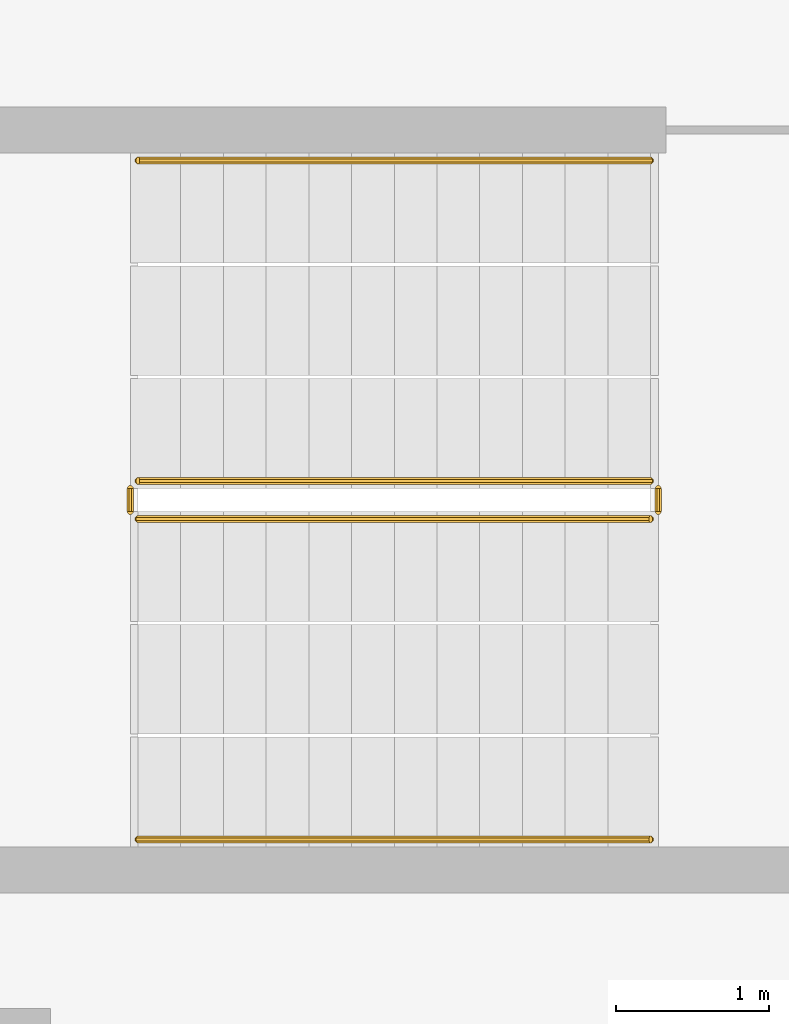
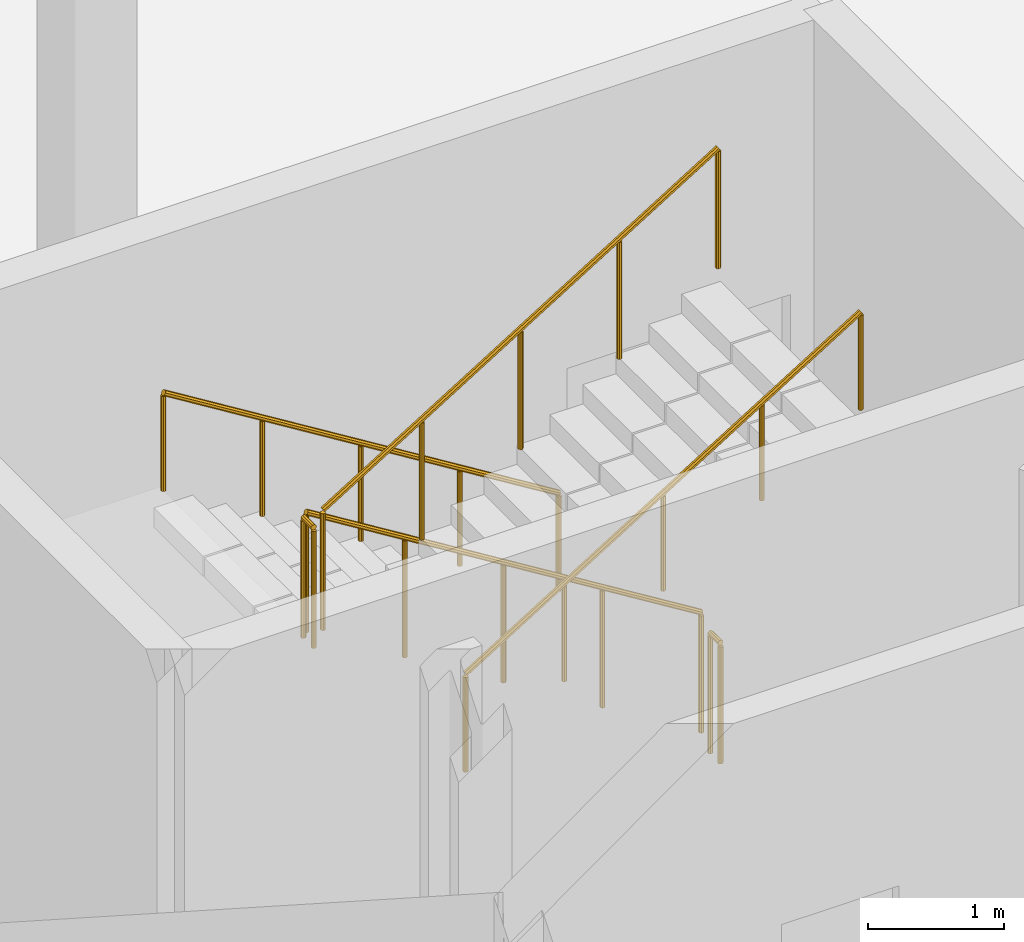
# One storey, part 22 of 27: 6 railings.
"""IFC4 building model written with IfcOpenShell, lengths in metres."""

from ifc_helpers import new_model, si_unit, direction, frame, origin, place, context, subcontext, project, spatial, polyline, outline, extrude, material, type_object, element, save


model = new_model("IFC4")

# Units and contexts
model_context = context("Model", 3, precision=1e-05, world=origin(), true_north=direction((0.0, 1.0)))
body_context = subcontext(model_context, "Body", "Model", "MODEL_VIEW")
ifc_project = project(units=[si_unit("LENGTHUNIT", "METRE"), si_unit("AREAUNIT", "SQUARE_METRE"), si_unit("VOLUMEUNIT", "CUBIC_METRE"), si_unit("PLANEANGLEUNIT", "RADIAN"), si_unit("MASSUNIT", "GRAM", prefix="KILO")], contexts=[model_context])

# Site, building, storey
site_placement = place(None, origin())
site = spatial("IfcSite", under=ifc_project, at=site_placement, CompositionType="ELEMENT")
building_placement = place(site_placement, origin())
building = spatial("IfcBuilding", under=site, at=building_placement, Name="Cormorant Relay Tower", CompositionType="ELEMENT")
storey_placement = place(building_placement, frame((0.0, 0.0, -4.5)))
storey = spatial("IfcBuildingStorey", under=building, at=storey_placement, Name="B1", CompositionType="ELEMENT", Elevation=-4.5)

# Railings
ifc_material_1 = material(Name="Steel ASTM A572 Grade 50 (Fy 345 MPa)", Category="steel")
railing_type_1 = type_object("IfcRailingType", Name="Stair guard 1100", PredefinedType="GUARDRAIL", material=ifc_material_1)
railing_1_placement = place(storey_placement, frame((1.60009765625, -18.27490234375, 0.173095703125)))
element("IfcRailing", 1, at=railing_1_placement, inside=storey, type_object=railing_type_1, Name="B1 RK1 stair guard 1", PredefinedType="GUARDRAIL", context=body_context, shape_type="SweptSolid", body=[
    extrude(outline(polyline([(0.022216796875, 0.00927734375), (0.00927734375, 0.022216796875), (-0.00927734375, 0.022216796875), (-0.022216796875, 0.00927734375), (-0.022216796875, -0.00927734375), (-0.00927734375, -0.022216796875), (0.00927734375, -0.022216796875), (0.022216796875, -0.00927734375), (0.022216796875, 0.00927734375)])), frame((0.0, 0.0, 1.076171875), z_axis=(-0.850623216509, 0.0, 0.525775754039), x_axis=(0.0, -1.0, 0.0)), (0.0, 0.0, 1.0), 3.9501953125),
    extrude(outline(polyline([(0.019287109375, 0.008056640625), (0.008056640625, 0.019287109375), (-0.008056640625, 0.019287109375), (-0.019287109375, 0.008056640625), (-0.019287109375, -0.008056640625), (-0.008056640625, -0.019287109375), (0.008056640625, -0.019287109375), (0.019287109375, -0.008056640625), (0.019287109375, 0.008056640625)])), origin(), (0.0, 0.0, 1.0), 1.052001953125),
    extrude(outline(polyline([(0.019287109375, 0.008056640625), (0.008056640625, 0.019287109375), (-0.008056640625, 0.019287109375), (-0.019287109375, 0.008056640625), (-0.019287109375, -0.008056640625), (-0.008056640625, -0.019287109375), (0.008056640625, -0.019287109375), (0.019287109375, -0.008056640625), (0.019287109375, 0.008056640625)])), frame((-0.840087890625, 0.0, 0.519287109375)), (0.0, 0.0, 1.0), 1.052001953125),
    extrude(outline(polyline([(0.019287109375, 0.008056640625), (0.008056640625, 0.019287109375), (-0.008056640625, 0.019287109375), (-0.019287109375, 0.008056640625), (-0.019287109375, -0.008056640625), (-0.008056640625, -0.019287109375), (0.008056640625, -0.019287109375), (0.019287109375, -0.008056640625), (0.019287109375, 0.008056640625)])), frame((-1.68017578125, 0.0, 1.03857421875)), (0.0, 0.0, 1.0), 1.052001953125),
    extrude(outline(polyline([(0.019287109375, 0.008056640625), (0.008056640625, 0.019287109375), (-0.008056640625, 0.019287109375), (-0.019287109375, 0.008056640625), (-0.019287109375, -0.008056640625), (-0.008056640625, -0.019287109375), (0.008056640625, -0.019287109375), (0.019287109375, -0.008056640625), (0.019287109375, 0.008056640625)])), frame((-2.52001953125, 0.0, 1.5576171875)), (0.0, 0.0, 1.0), 1.052001953125),
    extrude(outline(polyline([(0.019287109375, 0.008056640625), (0.008056640625, 0.019287109375), (-0.008056640625, 0.019287109375), (-0.019287109375, 0.008056640625), (-0.019287109375, -0.008056640625), (-0.008056640625, -0.019287109375), (0.008056640625, -0.019287109375), (0.019287109375, -0.008056640625), (0.019287109375, 0.008056640625)])), frame((-3.360107421875, 0.0, 2.076904296875)), (0.0, 0.0, 1.0), 1.052001953125),
])
railing_2_placement = place(storey_placement, frame((-1.81005859375, -18.324951171875, 2.25)))
element("IfcRailing", 2, at=railing_2_placement, inside=storey, type_object=railing_type_1, Name="B1 RK1 stair guard 2", PredefinedType="GUARDRAIL", context=body_context, shape_type="SweptSolid", body=[
    extrude(outline(polyline([(0.022216796875, 0.00927734375), (0.00927734375, 0.022216796875), (-0.00927734375, 0.022216796875), (-0.022216796875, 0.00927734375), (-0.022216796875, -0.00927734375), (-0.00927734375, -0.022216796875), (0.00927734375, -0.022216796875), (0.022216796875, -0.00927734375), (0.022216796875, 0.00927734375)])), frame((0.0, 0.0, 1.076171875), z_axis=(0.0, -1.0, 0.0), x_axis=(1.0, 0.0, 0.0)), (0.0, 0.0, 1.0), 0.150146484375),
    extrude(outline(polyline([(0.019287109375, 0.008056640625), (0.008056640625, 0.019287109375), (-0.008056640625, 0.019287109375), (-0.019287109375, 0.008056640625), (-0.019287109375, -0.008056640625), (-0.008056640625, -0.019287109375), (0.008056640625, -0.019287109375), (0.019287109375, -0.008056640625), (0.019287109375, 0.008056640625)])), origin(), (0.0, 0.0, 1.0), 1.052001953125),
    extrude(outline(polyline([(0.019287109375, 0.008056640625), (0.008056640625, 0.019287109375), (-0.008056640625, 0.019287109375), (-0.019287109375, 0.008056640625), (-0.019287109375, -0.008056640625), (-0.008056640625, -0.019287109375), (0.008056640625, -0.019287109375), (0.019287109375, -0.008056640625), (0.019287109375, 0.008056640625)])), frame((0.0, -0.150146484375, 0.0)), (0.0, 0.0, 1.0), 1.052001953125),
])
railing_3_placement = place(storey_placement, frame((-1.760009765625, -18.52490234375, 2.423095703125)))
element("IfcRailing", 3, at=railing_3_placement, inside=storey, type_object=railing_type_1, Name="B1 RK1 stair guard 3", PredefinedType="GUARDRAIL", context=body_context, shape_type="SweptSolid", body=[
    extrude(outline(polyline([(0.022216796875, 0.00927734375), (0.00927734375, 0.022216796875), (-0.00927734375, 0.022216796875), (-0.022216796875, 0.00927734375), (-0.022216796875, -0.00927734375), (-0.00927734375, -0.022216796875), (0.00927734375, -0.022216796875), (0.022216796875, -0.00927734375), (0.022216796875, 0.00927734375)])), frame((0.0, 0.0, 1.076171875), z_axis=(0.850623216509, 0.0, 0.525775754039), x_axis=(0.0, 1.0, 0.0)), (0.0, 0.0, 1.0), 3.9501953125),
    extrude(outline(polyline([(0.019287109375, 0.008056640625), (0.008056640625, 0.019287109375), (-0.008056640625, 0.019287109375), (-0.019287109375, 0.008056640625), (-0.019287109375, -0.008056640625), (-0.008056640625, -0.019287109375), (0.008056640625, -0.019287109375), (0.019287109375, -0.008056640625), (0.019287109375, 0.008056640625)])), origin(), (0.0, 0.0, 1.0), 1.052001953125),
    extrude(outline(polyline([(0.019287109375, 0.008056640625), (0.008056640625, 0.019287109375), (-0.008056640625, 0.019287109375), (-0.019287109375, 0.008056640625), (-0.019287109375, -0.008056640625), (-0.008056640625, -0.019287109375), (0.008056640625, -0.019287109375), (0.019287109375, -0.008056640625), (0.019287109375, 0.008056640625)])), frame((0.840087890625, 0.0, 0.519287109375)), (0.0, 0.0, 1.0), 1.052001953125),
    extrude(outline(polyline([(0.019287109375, 0.008056640625), (0.008056640625, 0.019287109375), (-0.008056640625, 0.019287109375), (-0.019287109375, 0.008056640625), (-0.019287109375, -0.008056640625), (-0.008056640625, -0.019287109375), (0.008056640625, -0.019287109375), (0.019287109375, -0.008056640625), (0.019287109375, 0.008056640625)])), frame((1.68017578125, 0.0, 1.03857421875)), (0.0, 0.0, 1.0), 1.052001953125),
    extrude(outline(polyline([(0.019287109375, 0.008056640625), (0.008056640625, 0.019287109375), (-0.008056640625, 0.019287109375), (-0.019287109375, 0.008056640625), (-0.019287109375, -0.008056640625), (-0.008056640625, -0.019287109375), (0.008056640625, -0.019287109375), (0.019287109375, -0.008056640625), (0.019287109375, 0.008056640625)])), frame((2.52001953125, 0.0, 1.5576171875)), (0.0, 0.0, 1.0), 1.052001953125),
    extrude(outline(polyline([(0.019287109375, 0.008056640625), (0.008056640625, 0.019287109375), (-0.008056640625, 0.019287109375), (-0.019287109375, 0.008056640625), (-0.019287109375, -0.008056640625), (-0.008056640625, -0.019287109375), (0.008056640625, -0.019287109375), (0.019287109375, -0.008056640625), (0.019287109375, 0.008056640625)])), frame((3.360107421875, 0.0, 2.076904296875)), (0.0, 0.0, 1.0), 1.052001953125),
])
railing_4_placement = place(storey_placement, frame((1.64990234375, -18.324951171875, 0.0)))
element("IfcRailing", 4, at=railing_4_placement, inside=storey, type_object=railing_type_1, Name="B1 RK1 stair guard 4", PredefinedType="GUARDRAIL", context=body_context, shape_type="SweptSolid", body=[
    extrude(outline(polyline([(0.022216796875, 0.00927734375), (0.00927734375, 0.022216796875), (-0.00927734375, 0.022216796875), (-0.022216796875, 0.00927734375), (-0.022216796875, -0.00927734375), (-0.00927734375, -0.022216796875), (0.00927734375, -0.022216796875), (0.022216796875, -0.00927734375), (0.022216796875, 0.00927734375)])), frame((0.0, 0.0, 1.076171875), z_axis=(0.0, -1.0, 0.0), x_axis=(1.0, 0.0, 0.0)), (0.0, 0.0, 1.0), 0.150146484375),
    extrude(outline(polyline([(0.019287109375, 0.008056640625), (0.008056640625, 0.019287109375), (-0.008056640625, 0.019287109375), (-0.019287109375, 0.008056640625), (-0.019287109375, -0.008056640625), (-0.008056640625, -0.019287109375), (0.008056640625, -0.019287109375), (0.019287109375, -0.008056640625), (0.019287109375, 0.008056640625)])), origin(), (0.0, 0.0, 1.0), 1.052001953125),
    extrude(outline(polyline([(0.019287109375, 0.008056640625), (0.008056640625, 0.019287109375), (-0.008056640625, 0.019287109375), (-0.019287109375, 0.008056640625), (-0.019287109375, -0.008056640625), (-0.008056640625, -0.019287109375), (0.008056640625, -0.019287109375), (0.019287109375, -0.008056640625), (0.019287109375, 0.008056640625)])), frame((0.0, -0.150146484375, 0.0)), (0.0, 0.0, 1.0), 1.052001953125),
])
ifc_material_2 = material(Name="Steel ASTM A572 Grade 50 (Fy 345 MPa)", Category="steel")
railing_type_2 = type_object("IfcRailingType", Name="Stair handrail 900", PredefinedType="HANDRAIL", material=ifc_material_2)
railing_5_placement = place(storey_placement, frame((1.60009765625, -16.175048828125, 0.173095703125)))
element("IfcRailing", 5, at=railing_5_placement, inside=storey, type_object=railing_type_2, Name="B1 RK1 stair handrail 1", PredefinedType="HANDRAIL", context=body_context, shape_type="SweptSolid", body=[
    extrude(outline(polyline([(0.022216796875, 0.00927734375), (0.00927734375, 0.022216796875), (-0.00927734375, 0.022216796875), (-0.022216796875, 0.00927734375), (-0.022216796875, -0.00927734375), (-0.00927734375, -0.022216796875), (0.00927734375, -0.022216796875), (0.022216796875, -0.00927734375), (0.022216796875, 0.00927734375)])), frame((0.0, 0.0, 0.8759765625), z_axis=(-0.850623216509, 0.0, 0.525775754039), x_axis=(0.0, -1.0, 0.0)), (0.0, 0.0, 1.0), 3.9501953125),
    extrude(outline(polyline([(0.019287109375, 0.008056640625), (0.008056640625, 0.019287109375), (-0.008056640625, 0.019287109375), (-0.019287109375, 0.008056640625), (-0.019287109375, -0.008056640625), (-0.008056640625, -0.019287109375), (0.008056640625, -0.019287109375), (0.019287109375, -0.008056640625), (0.019287109375, 0.008056640625)])), origin(), (0.0, 0.0, 1.0), 0.851806640625),
    extrude(outline(polyline([(0.019287109375, 0.008056640625), (0.008056640625, 0.019287109375), (-0.008056640625, 0.019287109375), (-0.019287109375, 0.008056640625), (-0.019287109375, -0.008056640625), (-0.008056640625, -0.019287109375), (0.008056640625, -0.019287109375), (0.019287109375, -0.008056640625), (0.019287109375, 0.008056640625)])), frame((-0.840087890625, 0.0, 0.519287109375)), (0.0, 0.0, 1.0), 0.851806640625),
    extrude(outline(polyline([(0.019287109375, 0.008056640625), (0.008056640625, 0.019287109375), (-0.008056640625, 0.019287109375), (-0.019287109375, 0.008056640625), (-0.019287109375, -0.008056640625), (-0.008056640625, -0.019287109375), (0.008056640625, -0.019287109375), (0.019287109375, -0.008056640625), (0.019287109375, 0.008056640625)])), frame((-1.68017578125, 0.0, 1.03857421875)), (0.0, 0.0, 1.0), 0.851806640625),
    extrude(outline(polyline([(0.019287109375, 0.008056640625), (0.008056640625, 0.019287109375), (-0.008056640625, 0.019287109375), (-0.019287109375, 0.008056640625), (-0.019287109375, -0.008056640625), (-0.008056640625, -0.019287109375), (0.008056640625, -0.019287109375), (0.019287109375, -0.008056640625), (0.019287109375, 0.008056640625)])), frame((-2.52001953125, 0.0, 1.5576171875)), (0.0, 0.0, 1.0), 0.851806640625),
    extrude(outline(polyline([(0.019287109375, 0.008056640625), (0.008056640625, 0.019287109375), (-0.008056640625, 0.019287109375), (-0.019287109375, 0.008056640625), (-0.019287109375, -0.008056640625), (-0.008056640625, -0.019287109375), (0.008056640625, -0.019287109375), (0.019287109375, -0.008056640625), (0.019287109375, 0.008056640625)])), frame((-3.360107421875, 0.0, 2.076904296875)), (0.0, 0.0, 1.0), 0.851806640625),
])
railing_6_placement = place(storey_placement, frame((-1.760009765625, -20.625, 2.423095703125)))
element("IfcRailing", 6, at=railing_6_placement, inside=storey, type_object=railing_type_2, Name="B1 RK1 stair handrail 2", PredefinedType="HANDRAIL", context=body_context, shape_type="SweptSolid", body=[
    extrude(outline(polyline([(0.022216796875, 0.00927734375), (0.00927734375, 0.022216796875), (-0.00927734375, 0.022216796875), (-0.022216796875, 0.00927734375), (-0.022216796875, -0.00927734375), (-0.00927734375, -0.022216796875), (0.00927734375, -0.022216796875), (0.022216796875, -0.00927734375), (0.022216796875, 0.00927734375)])), frame((0.0, 0.0, 0.8759765625), z_axis=(0.850623216509, 0.0, 0.525775754039), x_axis=(0.0, 1.0, 0.0)), (0.0, 0.0, 1.0), 3.9501953125),
    extrude(outline(polyline([(0.019287109375, 0.008056640625), (0.008056640625, 0.019287109375), (-0.008056640625, 0.019287109375), (-0.019287109375, 0.008056640625), (-0.019287109375, -0.008056640625), (-0.008056640625, -0.019287109375), (0.008056640625, -0.019287109375), (0.019287109375, -0.008056640625), (0.019287109375, 0.008056640625)])), origin(), (0.0, 0.0, 1.0), 0.851806640625),
    extrude(outline(polyline([(0.019287109375, 0.008056640625), (0.008056640625, 0.019287109375), (-0.008056640625, 0.019287109375), (-0.019287109375, 0.008056640625), (-0.019287109375, -0.008056640625), (-0.008056640625, -0.019287109375), (0.008056640625, -0.019287109375), (0.019287109375, -0.008056640625), (0.019287109375, 0.008056640625)])), frame((0.840087890625, 0.0, 0.519287109375)), (0.0, 0.0, 1.0), 0.851806640625),
    extrude(outline(polyline([(0.019287109375, 0.008056640625), (0.008056640625, 0.019287109375), (-0.008056640625, 0.019287109375), (-0.019287109375, 0.008056640625), (-0.019287109375, -0.008056640625), (-0.008056640625, -0.019287109375), (0.008056640625, -0.019287109375), (0.019287109375, -0.008056640625), (0.019287109375, 0.008056640625)])), frame((1.68017578125, 0.0, 1.03857421875)), (0.0, 0.0, 1.0), 0.851806640625),
    extrude(outline(polyline([(0.019287109375, 0.008056640625), (0.008056640625, 0.019287109375), (-0.008056640625, 0.019287109375), (-0.019287109375, 0.008056640625), (-0.019287109375, -0.008056640625), (-0.008056640625, -0.019287109375), (0.008056640625, -0.019287109375), (0.019287109375, -0.008056640625), (0.019287109375, 0.008056640625)])), frame((2.52001953125, 0.0, 1.5576171875)), (0.0, 0.0, 1.0), 0.851806640625),
    extrude(outline(polyline([(0.019287109375, 0.008056640625), (0.008056640625, 0.019287109375), (-0.008056640625, 0.019287109375), (-0.019287109375, 0.008056640625), (-0.019287109375, -0.008056640625), (-0.008056640625, -0.019287109375), (0.008056640625, -0.019287109375), (0.019287109375, -0.008056640625), (0.019287109375, 0.008056640625)])), frame((3.360107421875, 0.0, 2.076904296875)), (0.0, 0.0, 1.0), 0.851806640625),
])

save(model, "model.ifc")
